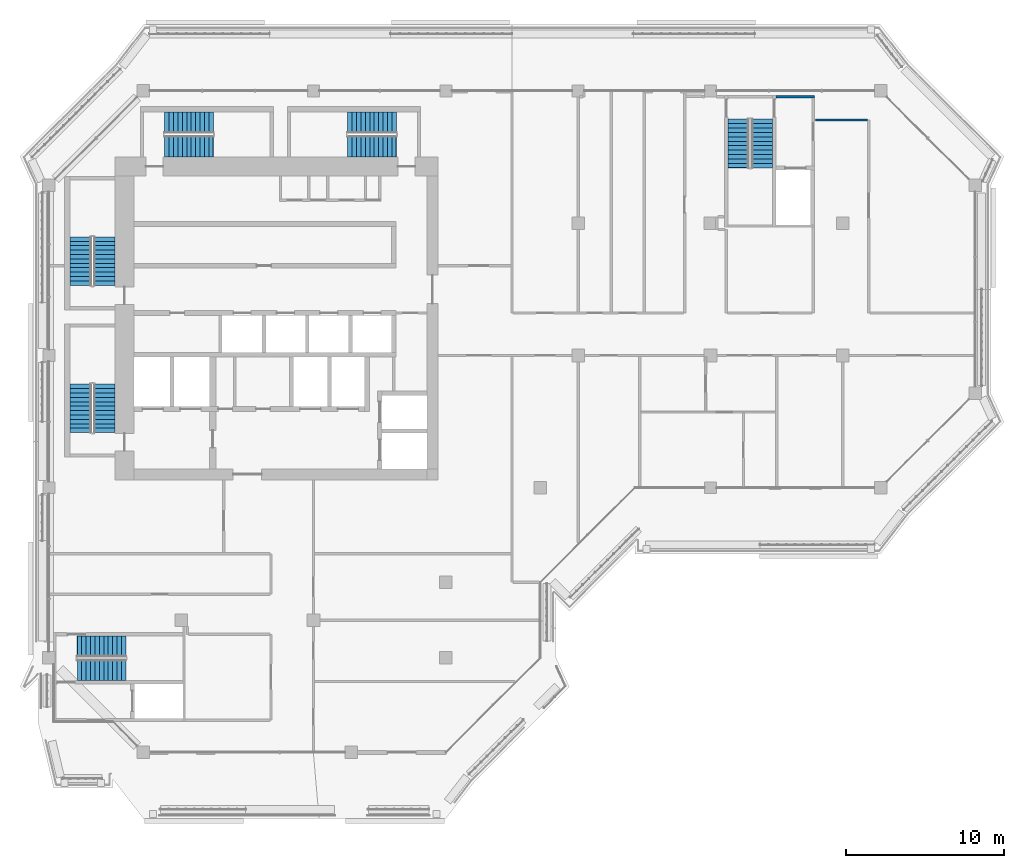
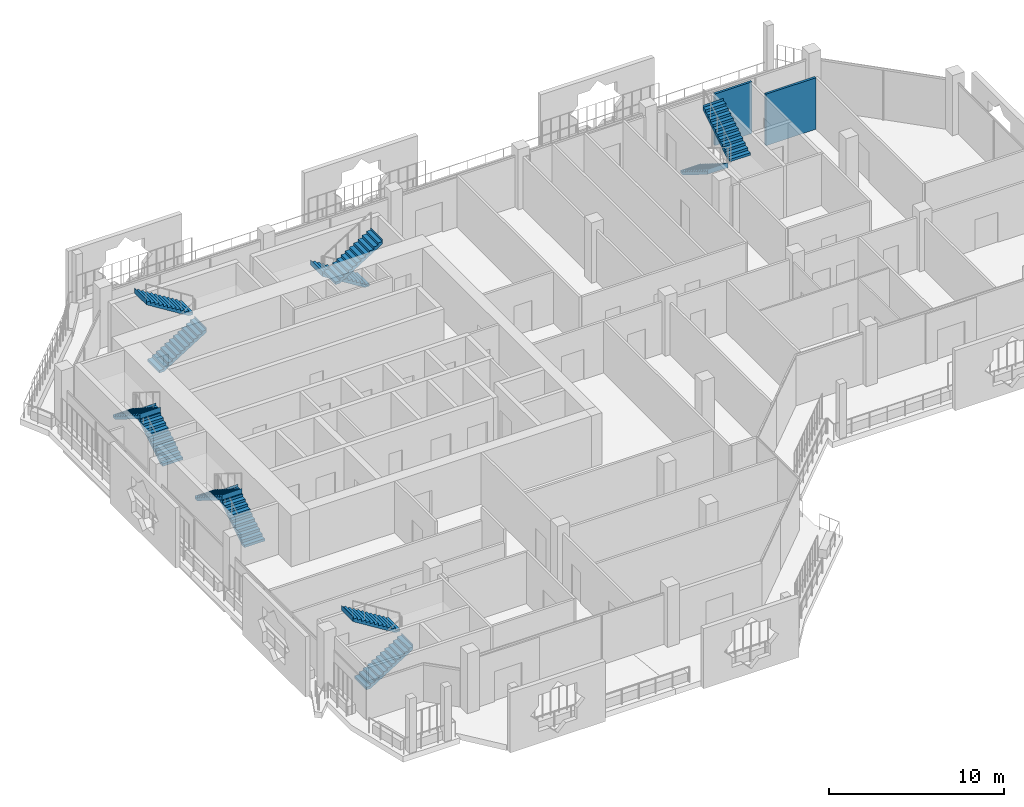
# One storey, part 14 of 22: 12 stair flights, 2 walls, 6 elements without a shape of their own.
"""IFC4 building model written with IfcOpenShell, lengths in metres."""

from ifc_helpers import new_model, si_unit, direction, frame, frame_2d, origin, place, context, subcontext, project, spatial, polyline, rectangle, outline, extrude, material, layer, layer_set, type_object, element, aggregate, save


model = new_model("IFC4")

# Units and contexts
model_context = context("Model", 3, precision=1e-05, world=origin(), true_north=direction((0.0, 1.0)))
body_context = subcontext(model_context, "Body", "Model", "MODEL_VIEW")
ifc_project = project(units=[si_unit("LENGTHUNIT", "METRE"), si_unit("AREAUNIT", "SQUARE_METRE"), si_unit("VOLUMEUNIT", "CUBIC_METRE"), si_unit("PLANEANGLEUNIT", "RADIAN"), si_unit("MASSUNIT", "GRAM", prefix="KILO")], contexts=[model_context])

# Site, building, storey
site_placement = place(None, origin())
site = spatial("IfcSite", under=ifc_project, at=site_placement, CompositionType="ELEMENT")
building_placement = place(site_placement, origin())
building = spatial("IfcBuilding", under=site, at=building_placement, Name="Kawkab Arch Medical Tower", CompositionType="ELEMENT")
storey_placement = place(building_placement, frame((0.0, 0.0, 298.60009765625)))
storey = spatial("IfcBuildingStorey", under=building, at=storey_placement, Name="L69", CompositionType="ELEMENT", Elevation=298.60009765625)

# Walls
ifc_material_1 = material(Name="Gypsum board partition on steel studs, mineral wool", Category="steel")
ifc_layer_1 = layer(ifc_material_1, 0.14990234375)
ifc_layer_set_1 = layer_set([ifc_layer_1], Name="Gypsum board partition on steel studs, mineral wool")
wall_type_1 = type_object("IfcWallType", Name="Partition 150", PredefinedType="PARTITIONING", material=ifc_layer_set_1)
wall_1_placement = place(storey_placement, frame((48.679931640625, -1.85009765625, 0.0), z_axis=(0.0, 0.0, 1.0), x_axis=(1.0, 0.0, 0.0)))
element("IfcWall", 1, at=wall_1_placement, inside=storey, type_object=wall_type_1, Name="Partition 150 w020", PredefinedType="PARTITIONING", context=body_context, shape_type="SweptSolid", body=[
    extrude(rectangle(XDim=3.287109375, YDim=0.14990234375, at=frame_2d((1.6435546875, 0.0))), origin(), (0.0, 0.0, 1.0), 3.599853515625),
])
ifc_material_2 = material(Name="Concrete C50/60", Category="concrete")
ifc_layer_2 = layer(ifc_material_2, 0.14990234375)
ifc_layer_set_2 = layer_set([ifc_layer_2], Name="Concrete C50/60")
wall_type_2 = type_object("IfcWallType", Name="Stair enclosure wall 150 C50/60", PredefinedType="SHEAR", material=ifc_layer_set_2)
wall_2_placement = place(storey_placement, frame((46.14990234375, -0.375, 0.0), z_axis=(0.0, 0.0, 1.0), x_axis=(1.0, 0.0, 0.0)))
element("IfcWall", 2, at=wall_2_placement, inside=storey, type_object=wall_type_2, Name="L69 stair enclosure wall", PredefinedType="SHEAR", context=body_context, shape_type="SweptSolid", body=[
    extrude(rectangle(XDim=2.4501953125, YDim=0.14990234375, at=frame_2d((1.22509765625, 0.0))), origin(), (0.0, 0.0, 1.0), 3.599853515625),
])

# Stair, stair flights
ifc_material_3 = material(Name="Concrete C40/50", Category="concrete")
stair_type = type_object("IfcStairType", Name="Exit stair 1350", PredefinedType="HALF_TURN_STAIR", material=ifc_material_3)
placement = place(storey_placement, origin())
stair_1 = element("IfcStair", 3, at=placement, inside=storey, type_object=stair_type, Name="L69 Exit stair ST1", PredefinedType="HALF_TURN_STAIR")
ifc_material_4 = material(Name="Concrete C40/50", Category="concrete")
stair_flight_type = type_object("IfcStairFlightType", Name="Exit stair flight 1350", PredefinedType="STRAIGHT", material=ifc_material_4)
stair_flight_1_placement = place(storey_placement, frame((3.52490234375, -12.35009765625, 0.0), z_axis=(0.0, 0.0, 1.0), x_axis=(0.0, 1.0, 0.0)))
stair_flight_1 = element("IfcStairFlight", 4, at=stair_flight_1_placement, type_object=stair_flight_type, Name="ST1 flight 1", NumberOfRisers=12, NumberOfTreads=11, PredefinedType="STRAIGHT", RiserHeight=0.175, TreadLength=0.28, context=body_context, shape_type="SweptSolid", body=[
    extrude(outline(polyline([(-0.0029296875, 0.0), (-0.0029296875, 0.175048828125), (0.0, 0.175048828125), (0.280029296875, 0.175048828125), (0.280029296875, 0.35009765625), (0.56005859375, 0.35009765625), (0.56005859375, 0.52490234375), (0.840087890625, 0.52490234375), (0.840087890625, 0.699951171875), (1.1201171875, 0.699951171875), (1.1201171875, 0.875), (1.39990234375, 0.875), (1.39990234375, 1.050048828125), (1.679931640625, 1.050048828125), (1.679931640625, 1.22509765625), (1.9599609375, 1.22509765625), (1.9599609375, 1.39990234375), (2.239990234375, 1.39990234375), (2.239990234375, 1.574951171875), (2.52001953125, 1.574951171875), (2.52001953125, 1.75), (2.800048828125, 1.75), (2.800048828125, 1.925048828125), (3.080078125, 1.925048828125), (3.080078125, 2.10009765625), (3.0830078125, 2.10009765625), (3.0830078125, 1.748291015625), (3.080078125, 1.748291015625), (0.28271484375, 0.0), (-0.0029296875, 0.0)])), frame((0.0, 0.675048828125, 0.0), z_axis=(0.0, -1.0, 0.0), x_axis=(1.0, 0.0, 0.0)), (0.0, 0.0, 1.0), 1.35009765625),
])
stair_flight_2_placement = place(storey_placement, frame((2.02490234375, -9.27001953125, 2.099853515625), z_axis=(0.0, 0.0, 1.0), x_axis=(0.0, -1.0, 0.0)))
stair_flight_2 = element("IfcStairFlight", 5, at=stair_flight_2_placement, type_object=stair_flight_type, Name="ST1 flight 2", NumberOfRisers=12, NumberOfTreads=11, PredefinedType="STRAIGHT", RiserHeight=0.175, TreadLength=0.28, context=body_context, shape_type="SweptSolid", body=[
    extrude(outline(polyline([(-0.0029296875, 0.0), (-0.0029296875, 0.175048828125), (0.0, 0.175048828125), (0.280029296875, 0.175048828125), (0.280029296875, 0.35009765625), (0.56005859375, 0.35009765625), (0.56005859375, 0.52490234375), (0.840087890625, 0.52490234375), (0.840087890625, 0.699951171875), (1.1201171875, 0.699951171875), (1.1201171875, 0.875), (1.39990234375, 0.875), (1.39990234375, 1.050048828125), (1.679931640625, 1.050048828125), (1.679931640625, 1.22509765625), (1.9599609375, 1.22509765625), (1.9599609375, 1.39990234375), (2.239990234375, 1.39990234375), (2.239990234375, 1.574951171875), (2.52001953125, 1.574951171875), (2.52001953125, 1.75), (2.800048828125, 1.75), (2.800048828125, 1.925048828125), (3.080078125, 1.925048828125), (3.080078125, 2.10009765625), (3.0830078125, 2.10009765625), (3.0830078125, 1.748291015625), (3.080078125, 1.748291015625), (0.28271484375, 0.0), (-0.0029296875, 0.0)])), frame((0.0, 0.675048828125, 0.0), z_axis=(0.0, -1.0, 0.0), x_axis=(1.0, 0.0, 0.0)), (0.0, 0.0, 1.0), 1.35009765625),
])
aggregate(stair_1, [stair_flight_1, stair_flight_2])

stair_2 = element("IfcStair", 6, at=placement, inside=storey, type_object=stair_type, Name="L69 Exit stair ST2", PredefinedType="HALF_TURN_STAIR")
stair_flight_3_placement = place(storey_placement, frame((3.52490234375, -21.699951171875, 0.0), z_axis=(0.0, 0.0, 1.0), x_axis=(0.0, 1.0, 0.0)))
stair_flight_3 = element("IfcStairFlight", 7, at=stair_flight_3_placement, type_object=stair_flight_type, Name="ST2 flight 1", NumberOfRisers=12, NumberOfTreads=11, PredefinedType="STRAIGHT", RiserHeight=0.175, TreadLength=0.28, context=body_context, shape_type="SweptSolid", body=[
    extrude(outline(polyline([(-0.0029296875, 0.0), (-0.0029296875, 0.175048828125), (0.0, 0.175048828125), (0.280029296875, 0.175048828125), (0.280029296875, 0.35009765625), (0.56005859375, 0.35009765625), (0.56005859375, 0.52490234375), (0.840087890625, 0.52490234375), (0.840087890625, 0.699951171875), (1.1201171875, 0.699951171875), (1.1201171875, 0.875), (1.39990234375, 0.875), (1.39990234375, 1.050048828125), (1.679931640625, 1.050048828125), (1.679931640625, 1.22509765625), (1.9599609375, 1.22509765625), (1.9599609375, 1.39990234375), (2.239990234375, 1.39990234375), (2.239990234375, 1.574951171875), (2.52001953125, 1.574951171875), (2.52001953125, 1.75), (2.800048828125, 1.75), (2.800048828125, 1.925048828125), (3.080078125, 1.925048828125), (3.080078125, 2.10009765625), (3.0830078125, 2.10009765625), (3.0830078125, 1.748291015625), (3.080078125, 1.748291015625), (0.28271484375, 0.0), (-0.0029296875, 0.0)])), frame((0.0, 0.675048828125, 0.0), z_axis=(0.0, -1.0, 0.0), x_axis=(1.0, 0.0, 0.0)), (0.0, 0.0, 1.0), 1.35009765625),
])
stair_flight_4_placement = place(storey_placement, frame((2.02490234375, -18.6201171875, 2.099853515625), z_axis=(0.0, 0.0, 1.0), x_axis=(0.0, -1.0, 0.0)))
stair_flight_4 = element("IfcStairFlight", 8, at=stair_flight_4_placement, type_object=stair_flight_type, Name="ST2 flight 2", NumberOfRisers=12, NumberOfTreads=11, PredefinedType="STRAIGHT", RiserHeight=0.175, TreadLength=0.28, context=body_context, shape_type="SweptSolid", body=[
    extrude(outline(polyline([(-0.0029296875, 0.0), (-0.0029296875, 0.175048828125), (0.0, 0.175048828125), (0.280029296875, 0.175048828125), (0.280029296875, 0.35009765625), (0.56005859375, 0.35009765625), (0.56005859375, 0.52490234375), (0.840087890625, 0.52490234375), (0.840087890625, 0.699951171875), (1.1201171875, 0.699951171875), (1.1201171875, 0.875), (1.39990234375, 0.875), (1.39990234375, 1.050048828125), (1.679931640625, 1.050048828125), (1.679931640625, 1.22509765625), (1.9599609375, 1.22509765625), (1.9599609375, 1.39990234375), (2.239990234375, 1.39990234375), (2.239990234375, 1.574951171875), (2.52001953125, 1.574951171875), (2.52001953125, 1.75), (2.800048828125, 1.75), (2.800048828125, 1.925048828125), (3.080078125, 1.925048828125), (3.080078125, 2.10009765625), (3.0830078125, 2.10009765625), (3.0830078125, 1.748291015625), (3.080078125, 1.748291015625), (0.28271484375, 0.0), (-0.0029296875, 0.0)])), frame((0.0, 0.675048828125, 0.0), z_axis=(0.0, -1.0, 0.0), x_axis=(1.0, 0.0, 0.0)), (0.0, 0.0, 1.0), 1.35009765625),
])
aggregate(stair_2, [stair_flight_3, stair_flight_4])

stair_3 = element("IfcStair", 9, at=placement, inside=storey, type_object=stair_type, Name="L69 Exit stair ST3", PredefinedType="HALF_TURN_STAIR")
stair_flight_5_placement = place(storey_placement, frame((7.35009765625, -3.52490234375, 0.0), z_axis=(0.0, 0.0, 1.0), x_axis=(1.0, 0.0, 0.0)))
stair_flight_5 = element("IfcStairFlight", 10, at=stair_flight_5_placement, type_object=stair_flight_type, Name="ST3 flight 1", NumberOfRisers=12, NumberOfTreads=11, PredefinedType="STRAIGHT", RiserHeight=0.175, TreadLength=0.28, context=body_context, shape_type="SweptSolid", body=[
    extrude(outline(polyline([(-0.0029296875, 0.0), (-0.0029296875, 0.175048828125), (0.0, 0.175048828125), (0.280029296875, 0.175048828125), (0.280029296875, 0.35009765625), (0.56005859375, 0.35009765625), (0.56005859375, 0.52490234375), (0.840087890625, 0.52490234375), (0.840087890625, 0.699951171875), (1.1201171875, 0.699951171875), (1.1201171875, 0.875), (1.39990234375, 0.875), (1.39990234375, 1.050048828125), (1.679931640625, 1.050048828125), (1.679931640625, 1.22509765625), (1.9599609375, 1.22509765625), (1.9599609375, 1.39990234375), (2.239990234375, 1.39990234375), (2.239990234375, 1.574951171875), (2.52001953125, 1.574951171875), (2.52001953125, 1.75), (2.800048828125, 1.75), (2.800048828125, 1.925048828125), (3.080078125, 1.925048828125), (3.080078125, 2.10009765625), (3.0830078125, 2.10009765625), (3.0830078125, 1.748291015625), (3.080078125, 1.748291015625), (0.28271484375, 0.0), (-0.0029296875, 0.0)])), frame((0.0, 0.675048828125, 0.0), z_axis=(0.0, -1.0, 0.0), x_axis=(1.0, 0.0, 0.0)), (0.0, 0.0, 1.0), 1.35009765625),
])
stair_flight_6_placement = place(storey_placement, frame((10.429931640625, -2.02490234375, 2.099853515625), z_axis=(0.0, 0.0, 1.0), x_axis=(-1.0, 0.0, 0.0)))
stair_flight_6 = element("IfcStairFlight", 11, at=stair_flight_6_placement, type_object=stair_flight_type, Name="ST3 flight 2", NumberOfRisers=12, NumberOfTreads=11, PredefinedType="STRAIGHT", RiserHeight=0.175, TreadLength=0.28, context=body_context, shape_type="SweptSolid", body=[
    extrude(outline(polyline([(-0.0029296875, 0.0), (-0.0029296875, 0.175048828125), (0.0, 0.175048828125), (0.280029296875, 0.175048828125), (0.280029296875, 0.35009765625), (0.56005859375, 0.35009765625), (0.56005859375, 0.52490234375), (0.840087890625, 0.52490234375), (0.840087890625, 0.699951171875), (1.1201171875, 0.699951171875), (1.1201171875, 0.875), (1.39990234375, 0.875), (1.39990234375, 1.050048828125), (1.679931640625, 1.050048828125), (1.679931640625, 1.22509765625), (1.9599609375, 1.22509765625), (1.9599609375, 1.39990234375), (2.239990234375, 1.39990234375), (2.239990234375, 1.574951171875), (2.52001953125, 1.574951171875), (2.52001953125, 1.75), (2.800048828125, 1.75), (2.800048828125, 1.925048828125), (3.080078125, 1.925048828125), (3.080078125, 2.10009765625), (3.0830078125, 2.10009765625), (3.0830078125, 1.748291015625), (3.080078125, 1.748291015625), (0.28271484375, 0.0), (-0.0029296875, 0.0)])), frame((0.0, 0.675048828125, 0.0), z_axis=(0.0, -1.0, 0.0), x_axis=(1.0, 0.0, 0.0)), (0.0, 0.0, 1.0), 1.35009765625),
])
aggregate(stair_3, [stair_flight_5, stair_flight_6])

stair_4 = element("IfcStair", 12, at=placement, inside=storey, type_object=stair_type, Name="L69 Exit stair ST4", PredefinedType="HALF_TURN_STAIR")
stair_flight_7_placement = place(storey_placement, frame((22.050048828125, -2.02490234375, 0.0), z_axis=(0.0, 0.0, 1.0), x_axis=(-1.0, 0.0, 0.0)))
stair_flight_7 = element("IfcStairFlight", 13, at=stair_flight_7_placement, type_object=stair_flight_type, Name="ST4 flight 1", NumberOfRisers=12, NumberOfTreads=11, PredefinedType="STRAIGHT", RiserHeight=0.175, TreadLength=0.28, context=body_context, shape_type="SweptSolid", body=[
    extrude(outline(polyline([(-0.0029296875, 0.0), (-0.0029296875, 0.175048828125), (0.0, 0.175048828125), (0.280029296875, 0.175048828125), (0.280029296875, 0.35009765625), (0.56005859375, 0.35009765625), (0.56005859375, 0.52490234375), (0.840087890625, 0.52490234375), (0.840087890625, 0.699951171875), (1.1201171875, 0.699951171875), (1.1201171875, 0.875), (1.39990234375, 0.875), (1.39990234375, 1.050048828125), (1.679931640625, 1.050048828125), (1.679931640625, 1.22509765625), (1.9599609375, 1.22509765625), (1.9599609375, 1.39990234375), (2.239990234375, 1.39990234375), (2.239990234375, 1.574951171875), (2.52001953125, 1.574951171875), (2.52001953125, 1.75), (2.800048828125, 1.75), (2.800048828125, 1.925048828125), (3.080078125, 1.925048828125), (3.080078125, 2.10009765625), (3.0830078125, 2.10009765625), (3.0830078125, 1.748291015625), (3.080078125, 1.748291015625), (0.28271484375, 0.0), (-0.0029296875, 0.0)])), frame((0.0, 0.675048828125, 0.0), z_axis=(0.0, -1.0, 0.0), x_axis=(1.0, 0.0, 0.0)), (0.0, 0.0, 1.0), 1.35009765625),
])
stair_flight_8_placement = place(storey_placement, frame((18.969970703125, -3.52490234375, 2.099853515625), z_axis=(0.0, 0.0, 1.0), x_axis=(1.0, 0.0, 0.0)))
stair_flight_8 = element("IfcStairFlight", 14, at=stair_flight_8_placement, type_object=stair_flight_type, Name="ST4 flight 2", NumberOfRisers=12, NumberOfTreads=11, PredefinedType="STRAIGHT", RiserHeight=0.175, TreadLength=0.28, context=body_context, shape_type="SweptSolid", body=[
    extrude(outline(polyline([(-0.0029296875, 0.0), (-0.0029296875, 0.175048828125), (0.0, 0.175048828125), (0.280029296875, 0.175048828125), (0.280029296875, 0.35009765625), (0.56005859375, 0.35009765625), (0.56005859375, 0.52490234375), (0.840087890625, 0.52490234375), (0.840087890625, 0.699951171875), (1.1201171875, 0.699951171875), (1.1201171875, 0.875), (1.39990234375, 0.875), (1.39990234375, 1.050048828125), (1.679931640625, 1.050048828125), (1.679931640625, 1.22509765625), (1.9599609375, 1.22509765625), (1.9599609375, 1.39990234375), (2.239990234375, 1.39990234375), (2.239990234375, 1.574951171875), (2.52001953125, 1.574951171875), (2.52001953125, 1.75), (2.800048828125, 1.75), (2.800048828125, 1.925048828125), (3.080078125, 1.925048828125), (3.080078125, 2.10009765625), (3.0830078125, 2.10009765625), (3.0830078125, 1.748291015625), (3.080078125, 1.748291015625), (0.28271484375, 0.0), (-0.0029296875, 0.0)])), frame((0.0, 0.675048828125, 0.0), z_axis=(0.0, -1.0, 0.0), x_axis=(1.0, 0.0, 0.0)), (0.0, 0.0, 1.0), 1.35009765625),
])
aggregate(stair_4, [stair_flight_7, stair_flight_8])

stair_5 = element("IfcStair", 15, at=placement, inside=storey, type_object=stair_type, Name="L69 Exit stair ST5", PredefinedType="HALF_TURN_STAIR")
stair_flight_9_placement = place(storey_placement, frame((43.77490234375, -1.800048828125, 0.0), z_axis=(0.0, 0.0, 1.0), x_axis=(0.0, -1.0, 0.0)))
stair_flight_9 = element("IfcStairFlight", 16, at=stair_flight_9_placement, type_object=stair_flight_type, Name="ST5 flight 1", NumberOfRisers=12, NumberOfTreads=11, PredefinedType="STRAIGHT", RiserHeight=0.175, TreadLength=0.28, context=body_context, shape_type="SweptSolid", body=[
    extrude(outline(polyline([(-0.0029296875, 0.0), (-0.0029296875, 0.175048828125), (0.0, 0.175048828125), (0.280029296875, 0.175048828125), (0.280029296875, 0.35009765625), (0.56005859375, 0.35009765625), (0.56005859375, 0.52490234375), (0.840087890625, 0.52490234375), (0.840087890625, 0.699951171875), (1.1201171875, 0.699951171875), (1.1201171875, 0.875), (1.39990234375, 0.875), (1.39990234375, 1.050048828125), (1.679931640625, 1.050048828125), (1.679931640625, 1.22509765625), (1.9599609375, 1.22509765625), (1.9599609375, 1.39990234375), (2.239990234375, 1.39990234375), (2.239990234375, 1.574951171875), (2.52001953125, 1.574951171875), (2.52001953125, 1.75), (2.800048828125, 1.75), (2.800048828125, 1.925048828125), (3.080078125, 1.925048828125), (3.080078125, 2.10009765625), (3.0830078125, 2.10009765625), (3.0830078125, 1.748291015625), (3.080078125, 1.748291015625), (0.28271484375, 0.0), (-0.0029296875, 0.0)])), frame((0.0, 0.675048828125, 0.0), z_axis=(0.0, -1.0, 0.0), x_axis=(1.0, 0.0, 0.0)), (0.0, 0.0, 1.0), 1.35009765625),
])
stair_flight_10_placement = place(storey_placement, frame((45.27490234375, -4.8798828125, 2.099853515625), z_axis=(0.0, 0.0, 1.0), x_axis=(0.0, 1.0, 0.0)))
stair_flight_10 = element("IfcStairFlight", 17, at=stair_flight_10_placement, type_object=stair_flight_type, Name="ST5 flight 2", NumberOfRisers=12, NumberOfTreads=11, PredefinedType="STRAIGHT", RiserHeight=0.175, TreadLength=0.28, context=body_context, shape_type="SweptSolid", body=[
    extrude(outline(polyline([(-0.0029296875, 0.0), (-0.0029296875, 0.175048828125), (0.0, 0.175048828125), (0.280029296875, 0.175048828125), (0.280029296875, 0.35009765625), (0.56005859375, 0.35009765625), (0.56005859375, 0.52490234375), (0.840087890625, 0.52490234375), (0.840087890625, 0.699951171875), (1.1201171875, 0.699951171875), (1.1201171875, 0.875), (1.39990234375, 0.875), (1.39990234375, 1.050048828125), (1.679931640625, 1.050048828125), (1.679931640625, 1.22509765625), (1.9599609375, 1.22509765625), (1.9599609375, 1.39990234375), (2.239990234375, 1.39990234375), (2.239990234375, 1.574951171875), (2.52001953125, 1.574951171875), (2.52001953125, 1.75), (2.800048828125, 1.75), (2.800048828125, 1.925048828125), (3.080078125, 1.925048828125), (3.080078125, 2.10009765625), (3.0830078125, 2.10009765625), (3.0830078125, 1.748291015625), (3.080078125, 1.748291015625), (0.28271484375, 0.0), (-0.0029296875, 0.0)])), frame((0.0, 0.675048828125, 0.0), z_axis=(0.0, -1.0, 0.0), x_axis=(1.0, 0.0, 0.0)), (0.0, 0.0, 1.0), 1.35009765625),
])
aggregate(stair_5, [stair_flight_9, stair_flight_10])

stair_6 = element("IfcStair", 18, at=placement, inside=storey, type_object=stair_type, Name="L69 Exit stair ST6", PredefinedType="HALF_TURN_STAIR")
stair_flight_11_placement = place(storey_placement, frame((1.800048828125, -36.77490234375, 0.0), z_axis=(0.0, 0.0, 1.0), x_axis=(1.0, 0.0, 0.0)))
stair_flight_11 = element("IfcStairFlight", 19, at=stair_flight_11_placement, type_object=stair_flight_type, Name="ST6 flight 1", NumberOfRisers=12, NumberOfTreads=11, PredefinedType="STRAIGHT", RiserHeight=0.175, TreadLength=0.28, context=body_context, shape_type="SweptSolid", body=[
    extrude(outline(polyline([(-0.0029296875, 0.0), (-0.0029296875, 0.175048828125), (0.0, 0.175048828125), (0.280029296875, 0.175048828125), (0.280029296875, 0.35009765625), (0.56005859375, 0.35009765625), (0.56005859375, 0.52490234375), (0.840087890625, 0.52490234375), (0.840087890625, 0.699951171875), (1.1201171875, 0.699951171875), (1.1201171875, 0.875), (1.39990234375, 0.875), (1.39990234375, 1.050048828125), (1.679931640625, 1.050048828125), (1.679931640625, 1.22509765625), (1.9599609375, 1.22509765625), (1.9599609375, 1.39990234375), (2.239990234375, 1.39990234375), (2.239990234375, 1.574951171875), (2.52001953125, 1.574951171875), (2.52001953125, 1.75), (2.800048828125, 1.75), (2.800048828125, 1.925048828125), (3.080078125, 1.925048828125), (3.080078125, 2.10009765625), (3.0830078125, 2.10009765625), (3.0830078125, 1.748291015625), (3.080078125, 1.748291015625), (0.28271484375, 0.0), (-0.0029296875, 0.0)])), frame((0.0, 0.675048828125, 0.0), z_axis=(0.0, -1.0, 0.0), x_axis=(1.0, 0.0, 0.0)), (0.0, 0.0, 1.0), 1.35009765625),
])
stair_flight_12_placement = place(storey_placement, frame((4.8798828125, -35.27490234375, 2.099853515625), z_axis=(0.0, 0.0, 1.0), x_axis=(-1.0, 0.0, 0.0)))
stair_flight_12 = element("IfcStairFlight", 20, at=stair_flight_12_placement, type_object=stair_flight_type, Name="ST6 flight 2", NumberOfRisers=12, NumberOfTreads=11, PredefinedType="STRAIGHT", RiserHeight=0.175, TreadLength=0.28, context=body_context, shape_type="SweptSolid", body=[
    extrude(outline(polyline([(-0.0029296875, 0.0), (-0.0029296875, 0.175048828125), (0.0, 0.175048828125), (0.280029296875, 0.175048828125), (0.280029296875, 0.35009765625), (0.56005859375, 0.35009765625), (0.56005859375, 0.52490234375), (0.840087890625, 0.52490234375), (0.840087890625, 0.699951171875), (1.1201171875, 0.699951171875), (1.1201171875, 0.875), (1.39990234375, 0.875), (1.39990234375, 1.050048828125), (1.679931640625, 1.050048828125), (1.679931640625, 1.22509765625), (1.9599609375, 1.22509765625), (1.9599609375, 1.39990234375), (2.239990234375, 1.39990234375), (2.239990234375, 1.574951171875), (2.52001953125, 1.574951171875), (2.52001953125, 1.75), (2.800048828125, 1.75), (2.800048828125, 1.925048828125), (3.080078125, 1.925048828125), (3.080078125, 2.10009765625), (3.0830078125, 2.10009765625), (3.0830078125, 1.748291015625), (3.080078125, 1.748291015625), (0.28271484375, 0.0), (-0.0029296875, 0.0)])), frame((0.0, 0.675048828125, 0.0), z_axis=(0.0, -1.0, 0.0), x_axis=(1.0, 0.0, 0.0)), (0.0, 0.0, 1.0), 1.35009765625),
])
aggregate(stair_6, [stair_flight_11, stair_flight_12])

save(model, "model.ifc")
